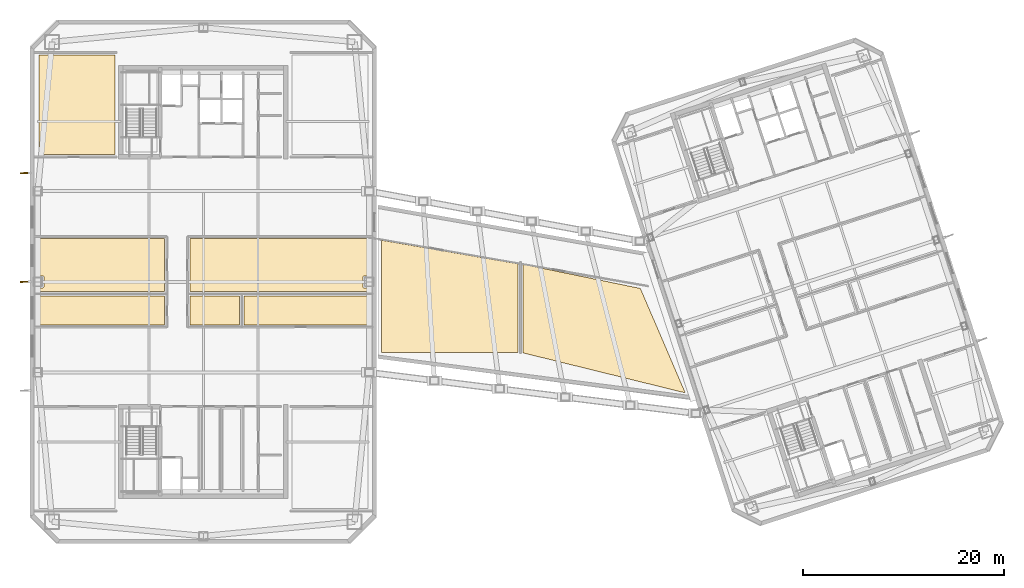
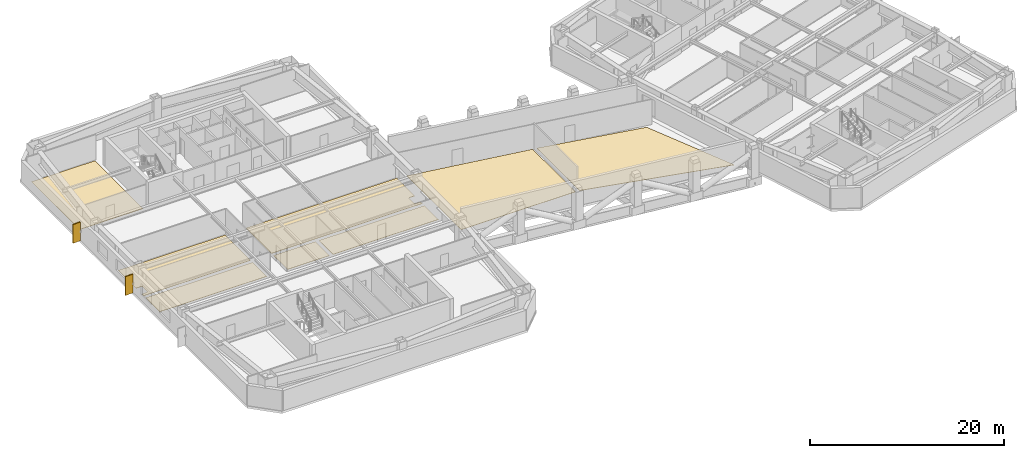
# One storey, part 15 of 19: 8 coverings, 2 shading devices.
"""IFC4 building model written with IfcOpenShell, lengths in metres."""

from ifc_helpers import new_model, si_unit, direction, frame, origin, origin_2d, place, context, subcontext, project, spatial, polyline, rectangle, outline, extrude, material, layer, layer_set, type_object, element, save


model = new_model("IFC4")

# Units and contexts
model_context = context("Model", 3, precision=1e-05, world=origin(), true_north=direction((0.0, 1.0)))
body_context = subcontext(model_context, "Body", "Model", "MODEL_VIEW")
ifc_project = project(units=[si_unit("LENGTHUNIT", "METRE"), si_unit("AREAUNIT", "SQUARE_METRE"), si_unit("VOLUMEUNIT", "CUBIC_METRE"), si_unit("PLANEANGLEUNIT", "RADIAN"), si_unit("MASSUNIT", "GRAM", prefix="KILO")], contexts=[model_context])

# Site, building, storey
site_placement = place(None, origin())
site = spatial("IfcSite", under=ifc_project, at=site_placement, CompositionType="ELEMENT")
building_placement = place(site_placement, origin())
building = spatial("IfcBuilding", under=site, at=building_placement, Name="Qiaolan Cultural Towers", CompositionType="ELEMENT")
storey_placement = place(building_placement, frame((0.0, 0.0, 216.199951171875)))
storey = spatial("IfcBuildingStorey", under=building, at=storey_placement, Name="L58", CompositionType="ELEMENT", Elevation=216.199951171875)

# Coverings
ifc_material_1 = material(Name="Honed Terrazzo & Raised Access Flooring", Category="concrete")
ifc_layer_1 = layer(ifc_material_1, 0.0400390625)
ifc_layer_set_1 = layer_set([ifc_layer_1], Name="Honed Terrazzo & Raised Access Flooring")
covering_type = type_object("IfcCoveringType", Name="COV-FLR-STONE", PredefinedType="FLOORING", material=ifc_layer_set_1)
covering_1_placement = place(storey_placement, origin())
element("IfcCovering", 1, at=covering_1_placement, inside=storey, type_object=covering_type, Name="L58 Corner Sky Tea Kitchen Finish Flooring", PredefinedType="FLOORING", context=body_context, shape_type="SweptSolid", body=[
    extrude(outline(polyline([(21.199951171875, 46.6201171875), (21.199951171875, 56.530029296875), (13.669921875, 56.530029296875), (13.669921875, 46.6201171875), (21.199951171875, 46.6201171875)])), origin(), (0.0, 0.0, 1.0), 0.0400390625),
])
covering_2_placement = place(storey_placement, origin())
element("IfcCovering", 2, at=covering_2_placement, inside=storey, type_object=covering_type, Name="L58 Sky Park Cultural Salon Finish Flooring", PredefinedType="FLOORING", context=body_context, shape_type="SweptSolid", body=[
    extrude(outline(polyline([(26.155029296875, 29.719970703125), (26.155029296875, 32.60009765625), (13.43994140625, 32.60009765625), (13.43994140625, 29.719970703125), (26.155029296875, 29.719970703125)])), origin(), (0.0, 0.0, 1.0), 0.0400390625),
])
covering_3_placement = place(storey_placement, origin())
element("IfcCovering", 3, at=covering_3_placement, inside=storey, type_object=covering_type, Name="L58 Botanical Lounge Finish Flooring", PredefinedType="FLOORING", context=body_context, shape_type="SweptSolid", body=[
    extrude(outline(polyline([(13.43994140625, 34.60009765625), (14.030029296875, 34.60009765625), (14.041748046875, 34.599365234375), (14.053466796875, 34.59765625), (14.06494140625, 34.5947265625), (14.075927734375, 34.5908203125), (14.086669921875, 34.5859375), (14.0966796875, 34.579833984375), (14.106201171875, 34.57275390625), (14.11474609375, 34.56494140625), (14.122802734375, 34.55615234375), (14.1298828125, 34.546630859375), (14.1357421875, 34.53662109375), (14.140869140625, 34.52587890625), (14.144775390625, 34.514892578125), (14.147705078125, 34.50341796875), (14.1494140625, 34.49169921875), (14.14990234375, 34.47998046875), (14.14990234375, 33.52001953125), (14.1494140625, 33.50830078125), (14.147705078125, 33.49658203125), (14.144775390625, 33.485107421875), (14.140869140625, 33.47412109375), (14.1357421875, 33.46337890625), (14.1298828125, 33.453369140625), (14.122802734375, 33.44384765625), (14.11474609375, 33.43505859375), (14.106201171875, 33.42724609375), (14.0966796875, 33.420166015625), (14.086669921875, 33.4140625), (14.075927734375, 33.4091796875), (14.06494140625, 33.4052734375), (14.053466796875, 33.40234375), (14.041748046875, 33.400634765625), (14.030029296875, 33.39990234375), (13.43994140625, 33.39990234375), (13.43994140625, 33.0400390625), (26.155029296875, 33.0400390625), (26.155029296875, 38.280029296875), (13.43994140625, 38.280029296875), (13.43994140625, 34.60009765625)])), origin(), (0.0, 0.0, 1.0), 0.0400390625),
])
covering_4_placement = place(storey_placement, origin())
element("IfcCovering", 4, at=covering_4_placement, inside=storey, type_object=covering_type, Name="L58 Sky Gallery Gift Shop Finish Flooring", PredefinedType="FLOORING", context=body_context, shape_type="SweptSolid", body=[
    extrude(outline(polyline([(33.580078125, 29.719970703125), (33.580078125, 32.60009765625), (28.64501953125, 32.60009765625), (28.64501953125, 29.719970703125), (33.580078125, 29.719970703125)])), origin(), (0.0, 0.0, 1.0), 0.0400390625),
])
covering_5_placement = place(storey_placement, origin())
element("IfcCovering", 5, at=covering_5_placement, inside=storey, type_object=covering_type, Name="L58 Curator Office Finish Flooring", PredefinedType="FLOORING", context=body_context, shape_type="SweptSolid", body=[
    extrude(outline(polyline([(46.56005859375, 29.719970703125), (46.56005859375, 32.60009765625), (34.02001953125, 32.60009765625), (34.02001953125, 29.719970703125), (46.56005859375, 29.719970703125)])), origin(), (0.0, 0.0, 1.0), 0.0400390625),
])
covering_6_placement = place(storey_placement, origin())
element("IfcCovering", 6, at=covering_6_placement, inside=storey, type_object=covering_type, Name="L58 Curator Office Finish Flooring", PredefinedType="FLOORING", context=body_context, shape_type="SweptSolid", body=[
    extrude(outline(polyline([(46.56005859375, 33.39990234375), (45.969970703125, 33.39990234375), (45.958251953125, 33.400634765625), (45.946533203125, 33.40234375), (45.93505859375, 33.4052734375), (45.924072265625, 33.4091796875), (45.913330078125, 33.4140625), (45.9033203125, 33.420166015625), (45.893798828125, 33.42724609375), (45.88525390625, 33.43505859375), (45.877197265625, 33.44384765625), (45.8701171875, 33.453369140625), (45.8642578125, 33.46337890625), (45.859130859375, 33.47412109375), (45.855224609375, 33.485107421875), (45.852294921875, 33.49658203125), (45.8505859375, 33.50830078125), (45.85009765625, 33.52001953125), (45.85009765625, 34.47998046875), (45.8505859375, 34.49169921875), (45.852294921875, 34.50341796875), (45.855224609375, 34.514892578125), (45.859130859375, 34.52587890625), (45.8642578125, 34.53662109375), (45.8701171875, 34.546630859375), (45.877197265625, 34.55615234375), (45.88525390625, 34.56494140625), (45.893798828125, 34.57275390625), (45.9033203125, 34.579833984375), (45.913330078125, 34.5859375), (45.924072265625, 34.5908203125), (45.93505859375, 34.5947265625), (45.946533203125, 34.59765625), (45.958251953125, 34.599365234375), (45.969970703125, 34.60009765625), (46.56005859375, 34.60009765625), (46.56005859375, 38.280029296875), (28.64501953125, 38.280029296875), (28.64501953125, 33.0400390625), (46.56005859375, 33.0400390625), (46.56005859375, 33.39990234375)])), origin(), (0.0, 0.0, 1.0), 0.0400390625),
])
covering_7_placement = place(storey_placement, origin())
element("IfcCovering", 7, at=covering_7_placement, inside=storey, type_object=covering_type, Name="L58 Sky Park Botanical Exhibition Hall Finish Flooring", PredefinedType="FLOORING", context=body_context, shape_type="SweptSolid", body=[
    extrude(outline(polyline([(61.260009765625, 26.969970703125), (61.260009765625, 35.787109375), (47.669921875, 38.137451171875), (47.669921875, 26.969970703125), (61.260009765625, 26.969970703125)])), origin(), (0.0, 0.0, 1.0), 0.0400390625),
])
covering_8_placement = place(storey_placement, origin())
element("IfcCovering", 8, at=covering_8_placement, inside=storey, type_object=covering_type, Name="L58 Sky Park Cultural Reading Lounge Finish Flooring", PredefinedType="FLOORING", context=body_context, shape_type="SweptSolid", body=[
    extrude(outline(polyline([(77.845947265625, 22.974853515625), (73.392333984375, 33.34130859375), (61.739990234375, 35.740966796875), (61.739990234375, 26.944091796875), (77.845947265625, 22.974853515625)])), origin(), (0.0, 0.0, 1.0), 0.0400390625),
])

# Shading devices
ifc_material_2 = material(Name="Light Limestone Precast Vertical Fin", Category="masonry")
ifc_layer_2 = layer(ifc_material_2, 0.1201171875)
ifc_layer_set_2 = layer_set([ifc_layer_2], Name="Light Limestone Precast Vertical Fin")
shading_device_type = type_object("IfcShadingDeviceType", Name="SHD-FIN-WHITE", PredefinedType="USERDEFINED", material=ifc_layer_set_2)
for number, where, z_axis, x_axis, name in (
    (9, (12.239990234375, 34.0, 0.10009765625), (0.0, 0.0, 1.0), (0.998966827039, 0.045445335018, 0.0), "L58 T1 Expressive Precast Vertical Fin W2"),
    (10, (12.239990234375, 44.800048828125, 0.10009765625), (0.0, 0.0, 1.0), (0.998966827039, 0.045445335018, 0.0), "L58 T1 Expressive Precast Vertical Fin W3"),
):
    element("IfcShadingDevice", number, at=place(storey_placement, frame(where, z_axis=z_axis, x_axis=x_axis)), inside=storey, type_object=shading_device_type, Name=name, ObjectType="FIN", PredefinedType="USERDEFINED", context=body_context, shape_type="SweptSolid", body=[
        extrude(rectangle(XDim=0.89990234375, YDim=0.1201171875, at=origin_2d()), origin(), (0.0, 0.0, 1.0), 2.35009765625),
    ])

save(model, "model.ifc")
